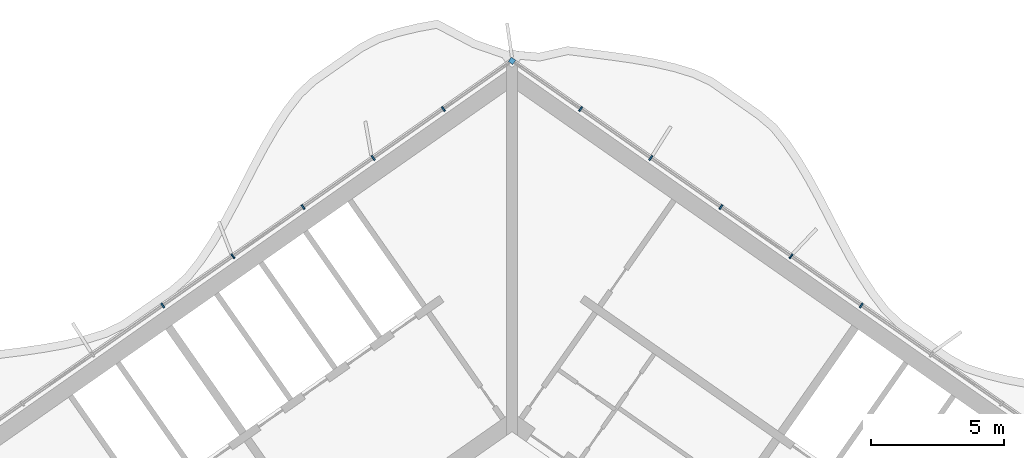
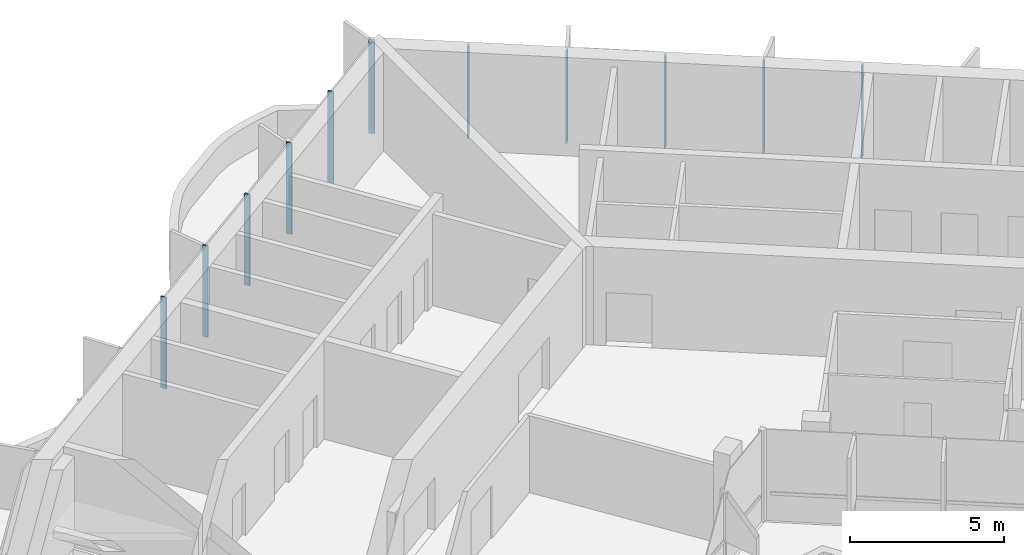
# One storey, part 6 of 18: 11 members, 1 element without a shape of its own.
"""IFC4 building model written with IfcOpenShell, lengths in metres."""

from ifc_helpers import new_model, si_unit, direction, frame, origin, origin_2d, place, context, subcontext, project, spatial, rectangle, extrude, material, material_profile, profile_set, type_object, element, aggregate, save


model = new_model("IFC4")

# Units and contexts
model_context = context("Model", 3, precision=1e-05, world=origin(), true_north=direction((0.0, 1.0)))
body_context = subcontext(model_context, "Body", "Model", "MODEL_VIEW")
ifc_project = project(units=[si_unit("LENGTHUNIT", "METRE"), si_unit("AREAUNIT", "SQUARE_METRE"), si_unit("VOLUMEUNIT", "CUBIC_METRE"), si_unit("PLANEANGLEUNIT", "RADIAN"), si_unit("MASSUNIT", "GRAM", prefix="KILO")], contexts=[model_context])

# Site, building, storey
site_placement = place(None, origin())
site = spatial("IfcSite", under=ifc_project, at=site_placement, CompositionType="ELEMENT")
building_placement = place(site_placement, origin())
building = spatial("IfcBuilding", under=site, at=building_placement, Name="Tel Ilan Convention Tower", CompositionType="ELEMENT")
storey_placement = place(building_placement, frame((0.0, 0.0, 260.5)))
storey = spatial("IfcBuildingStorey", under=building, at=storey_placement, Name="L61", CompositionType="ELEMENT", Elevation=260.5)

# Curtain wall, members
ifc_material_1 = material(Name="Aluminium, bronze anodised", Category="aluminium")
curtain_wall_type = type_object("IfcCurtainWallType", Name="CW2 STICK CURTAIN WALL, SPANDREL PANELS", PredefinedType="NOTDEFINED", material=ifc_material_1)
curtain_wall_placement = place(storey_placement, origin())
curtain_wall = element("IfcCurtainWall", 1, at=curtain_wall_placement, inside=storey, type_object=curtain_wall_type, Name="Curtain wall CW2-46.01", PredefinedType="NOTDEFINED")
ifc_material_2 = material(Name="Aluminium, bronze anodised", Category="aluminium")
ifc_material_profile_1 = material_profile(ifc_material_2, rectangle(XDim=0.199951171875, YDim=0.199951171875, at=origin_2d()), Name="CW CORNER MULLION 200x200")
ifc_profile_set_1 = profile_set([ifc_material_profile_1], Name="Aluminium, bronze anodised")
member_type_1 = type_object("IfcMemberType", Name="CW CORNER MULLION 200x200", PredefinedType="MULLION", material=ifc_profile_set_1)
member_1_placement = place(storey_placement, frame((0.0, 12.696044921875, 0.0), z_axis=(0.0, 0.0, 1.0), x_axis=(-0.819152044289, 0.573576436351, 0.0)))
member_1 = element("IfcMember", 2, at=member_1_placement, type_object=member_type_1, Name="Corner mullion", PredefinedType="MULLION", context=body_context, shape_type="SweptSolid", body=[
    extrude(rectangle(XDim=0.199951171875, YDim=0.199951171875, at=origin_2d()), origin(), (0.0, 0.0, 1.0), 3.6201171875),
])
ifc_material_3 = material(Name="Aluminium, bronze anodised", Category="aluminium")
ifc_material_profile_2 = material_profile(ifc_material_3, rectangle(XDim=0.06005859375, YDim=0.199951171875, at=origin_2d()), Name="CW MULLION 60x200")
ifc_profile_set_2 = profile_set([ifc_material_profile_2], Name="Aluminium, bronze anodised")
member_type_2 = type_object("IfcMemberType", Name="CW MULLION 60x200", PredefinedType="MULLION", material=ifc_profile_set_2)
member_2_placement = place(storey_placement, frame((13.105712890625, 3.519287109375, 0.0), z_axis=(0.0, 0.0, 1.0), x_axis=(-0.819152044289, 0.573576436351, 0.0)))
member_2 = element("IfcMember", 3, at=member_2_placement, type_object=member_type_2, Name="Mullion", PredefinedType="MULLION", context=body_context, shape_type="SweptSolid", body=[
    extrude(rectangle(XDim=0.06005859375, YDim=0.199951171875, at=origin_2d()), origin(), (0.0, 0.0, 1.0), 3.6201171875),
])
member_3_placement = place(storey_placement, frame((10.47314453125, 5.36279296875, 0.0), z_axis=(0.0, 0.0, 1.0), x_axis=(-0.819152044289, 0.573576436351, 0.0)))
member_3 = element("IfcMember", 4, at=member_3_placement, type_object=member_type_2, Name="Mullion", PredefinedType="MULLION", context=body_context, shape_type="SweptSolid", body=[
    extrude(rectangle(XDim=0.06005859375, YDim=0.199951171875, at=origin_2d()), origin(), (0.0, 0.0, 1.0), 3.6201171875),
])
member_4_placement = place(storey_placement, frame((7.840576171875, 7.2060546875, 0.0), z_axis=(0.0, 0.0, 1.0), x_axis=(-0.819152044289, 0.573576436351, 0.0)))
member_4 = element("IfcMember", 5, at=member_4_placement, type_object=member_type_2, Name="Mullion", PredefinedType="MULLION", context=body_context, shape_type="SweptSolid", body=[
    extrude(rectangle(XDim=0.06005859375, YDim=0.199951171875, at=origin_2d()), origin(), (0.0, 0.0, 1.0), 3.6201171875),
])
member_5_placement = place(storey_placement, frame((5.207763671875, 9.049560546875, 0.0), z_axis=(0.0, 0.0, 1.0), x_axis=(-0.819152044289, 0.573576436351, 0.0)))
member_5 = element("IfcMember", 6, at=member_5_placement, type_object=member_type_2, Name="Mullion", PredefinedType="MULLION", context=body_context, shape_type="SweptSolid", body=[
    extrude(rectangle(XDim=0.06005859375, YDim=0.199951171875, at=origin_2d()), origin(), (0.0, 0.0, 1.0), 3.6201171875),
])
member_6_placement = place(storey_placement, frame((2.5751953125, 10.892822265625, 0.0), z_axis=(0.0, 0.0, 1.0), x_axis=(-0.819152044289, 0.573576436351, 0.0)))
member_6 = element("IfcMember", 7, at=member_6_placement, type_object=member_type_2, Name="Mullion", PredefinedType="MULLION", context=body_context, shape_type="SweptSolid", body=[
    extrude(rectangle(XDim=0.06005859375, YDim=0.199951171875, at=origin_2d()), origin(), (0.0, 0.0, 1.0), 3.6201171875),
])
member_7_placement = place(storey_placement, frame((-2.5751953125, 10.892822265625, 0.0), z_axis=(0.0, 0.0, 1.0), x_axis=(-0.819152044289, -0.573576436351, 0.0)))
member_7 = element("IfcMember", 8, at=member_7_placement, type_object=member_type_2, Name="Mullion", PredefinedType="MULLION", context=body_context, shape_type="SweptSolid", body=[
    extrude(rectangle(XDim=0.06005859375, YDim=0.199951171875, at=origin_2d()), origin(), (0.0, 0.0, 1.0), 3.6201171875),
])
member_8_placement = place(storey_placement, frame((-5.207763671875, 9.049560546875, 0.0), z_axis=(0.0, 0.0, 1.0), x_axis=(-0.819152044289, -0.573576436351, 0.0)))
member_8 = element("IfcMember", 9, at=member_8_placement, type_object=member_type_2, Name="Mullion", PredefinedType="MULLION", context=body_context, shape_type="SweptSolid", body=[
    extrude(rectangle(XDim=0.06005859375, YDim=0.199951171875, at=origin_2d()), origin(), (0.0, 0.0, 1.0), 3.6201171875),
])
member_9_placement = place(storey_placement, frame((-7.840576171875, 7.2060546875, 0.0), z_axis=(0.0, 0.0, 1.0), x_axis=(-0.819152044289, -0.573576436351, 0.0)))
member_9 = element("IfcMember", 10, at=member_9_placement, type_object=member_type_2, Name="Mullion", PredefinedType="MULLION", context=body_context, shape_type="SweptSolid", body=[
    extrude(rectangle(XDim=0.06005859375, YDim=0.199951171875, at=origin_2d()), origin(), (0.0, 0.0, 1.0), 3.6201171875),
])
member_10_placement = place(storey_placement, frame((-10.47314453125, 5.36279296875, 0.0), z_axis=(0.0, 0.0, 1.0), x_axis=(-0.819152044289, -0.573576436351, 0.0)))
member_10 = element("IfcMember", 11, at=member_10_placement, type_object=member_type_2, Name="Mullion", PredefinedType="MULLION", context=body_context, shape_type="SweptSolid", body=[
    extrude(rectangle(XDim=0.06005859375, YDim=0.199951171875, at=origin_2d()), origin(), (0.0, 0.0, 1.0), 3.6201171875),
])
member_11_placement = place(storey_placement, frame((-13.105712890625, 3.519287109375, 0.0), z_axis=(0.0, 0.0, 1.0), x_axis=(-0.819152044289, -0.573576436351, 0.0)))
member_11 = element("IfcMember", 12, at=member_11_placement, type_object=member_type_2, Name="Mullion", PredefinedType="MULLION", context=body_context, shape_type="SweptSolid", body=[
    extrude(rectangle(XDim=0.06005859375, YDim=0.199951171875, at=origin_2d()), origin(), (0.0, 0.0, 1.0), 3.6201171875),
])
aggregate(curtain_wall, [member_2, member_3, member_4, member_5, member_6, member_1, member_7, member_8, member_9, member_10, member_11])

save(model, "model.ifc")
